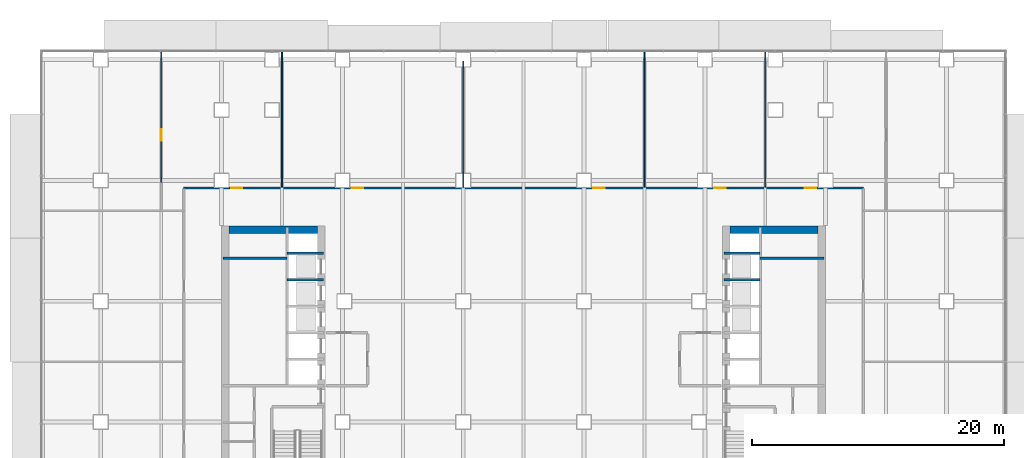
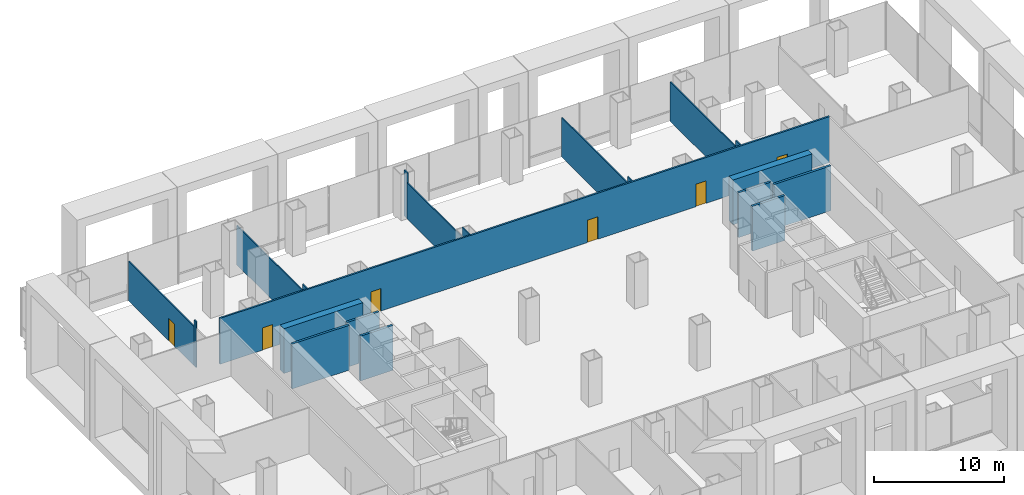
# One storey, part 17 of 23: 20 walls, 6 doors, 6 openings.
"""IFC4 building model written with IfcOpenShell, lengths in metres."""

from ifc_helpers import new_model, si_unit, direction, frame, frame_2d, origin, place, context, subcontext, project, spatial, rectangle, extrude, material, layer, layer_set, type_object, element, fill, save


model = new_model("IFC4")

# Units and contexts
model_context = context("Model", 3, precision=1e-05, world=origin(), true_north=direction((0.0, 1.0)))
body_context = subcontext(model_context, "Body", "Model", "MODEL_VIEW")
ifc_project = project(units=[si_unit("LENGTHUNIT", "METRE"), si_unit("AREAUNIT", "SQUARE_METRE"), si_unit("VOLUMEUNIT", "CUBIC_METRE"), si_unit("PLANEANGLEUNIT", "RADIAN"), si_unit("MASSUNIT", "GRAM", prefix="KILO")], contexts=[model_context])

# Site, building, storey
site_placement = place(None, origin())
site = spatial("IfcSite", under=ifc_project, at=site_placement, CompositionType="ELEMENT")
building_placement = place(site_placement, origin())
building = spatial("IfcBuilding", under=site, at=building_placement, Name="Cobrizo Arcos Hotel Tower", CompositionType="ELEMENT")
storey_placement = place(building_placement, frame((0.0, 0.0, 24.5)))
storey = spatial("IfcBuildingStorey", under=building, at=storey_placement, Name="L04", CompositionType="ELEMENT", Elevation=24.5)

# Wall, openings, doors
ifc_material_1 = material(Name="Gypsum board partition")
ifc_layer_1 = layer(ifc_material_1, 0.14990234375)
ifc_layer_set_1 = layer_set([ifc_layer_1], Name="Corridor wall EI 60 150")
wall_type_1 = type_object("IfcWallType", Name="Corridor wall EI 60 150", PredefinedType="PARTITIONING", material=ifc_layer_set_1)
wall_1_placement = place(storey_placement, frame((-27.0, 13.800048828125, 0.0), z_axis=(0.0, 0.0, 1.0), x_axis=(1.0, 0.0, 0.0)))
wall_1 = element("IfcWall", 1, at=wall_1_placement, inside=storey, type_object=wall_type_1, Name="Partition 033", PredefinedType="PARTITIONING", context=body_context, shape_type="SweptSolid", body=[
    extrude(rectangle(XDim=54.0, YDim=0.14990234375, at=frame_2d((27.0, 0.0))), origin(), (0.0, 0.0, 1.0), 4.300048828125),
])
opening_1_placement = place(wall_1_placement, frame((42.14990234375, 0.0, 0.0)))
opening_1 = element("IfcOpeningElement", 2, at=opening_1_placement, cuts=wall_1, Name="Opening RD-07", PredefinedType="OPENING", context=body_context, shape_type="SweptSolid", body=[
    extrude(rectangle(XDim=0.89990234375, YDim=2.10009765625, at=frame_2d((0.449951171875, 1.050048828125))), frame((0.0, 0.0869140625, 0.0), z_axis=(0.0, -1.0, 0.0), x_axis=(1.0, 0.0, 0.0)), (0.0, 0.0, 1.0), 0.173828125),
])
opening_2_placement = place(wall_1_placement, frame((3.75, 0.0, 0.0)))
opening_2 = element("IfcOpeningElement", 3, at=opening_2_placement, cuts=wall_1, Name="Opening RD-17", PredefinedType="OPENING", context=body_context, shape_type="SweptSolid", body=[
    extrude(rectangle(XDim=0.89990234375, YDim=2.10009765625, at=frame_2d((0.449951171875, 1.050048828125))), frame((0.0, 0.0869140625, 0.0), z_axis=(0.0, -1.0, 0.0), x_axis=(1.0, 0.0, 0.0)), (0.0, 0.0, 1.0), 0.173828125),
])
opening_3_placement = place(wall_1_placement, frame((49.35009765625, 0.0, 0.0)))
opening_3 = element("IfcOpeningElement", 4, at=opening_3_placement, cuts=wall_1, Name="Opening RD-21", PredefinedType="OPENING", context=body_context, shape_type="SweptSolid", body=[
    extrude(rectangle(XDim=0.89990234375, YDim=2.10009765625, at=frame_2d((0.449951171875, 1.050048828125))), frame((0.0, 0.0869140625, 0.0), z_axis=(0.0, -1.0, 0.0), x_axis=(1.0, 0.0, 0.0)), (0.0, 0.0, 1.0), 0.173828125),
])
opening_4_placement = place(wall_1_placement, frame((13.35009765625, 0.0, 0.0)))
opening_4 = element("IfcOpeningElement", 5, at=opening_4_placement, cuts=wall_1, Name="Opening RD-22", PredefinedType="OPENING", context=body_context, shape_type="SweptSolid", body=[
    extrude(rectangle(XDim=0.89990234375, YDim=2.10009765625, at=frame_2d((0.449951171875, 1.050048828125))), frame((0.0, 0.0869140625, 0.0), z_axis=(0.0, -1.0, 0.0), x_axis=(1.0, 0.0, 0.0)), (0.0, 0.0, 1.0), 0.173828125),
])
opening_5_placement = place(wall_1_placement, frame((32.550048828125, 0.0, 0.0)))
opening_5 = element("IfcOpeningElement", 6, at=opening_5_placement, cuts=wall_1, Name="Opening RD-23", PredefinedType="OPENING", context=body_context, shape_type="SweptSolid", body=[
    extrude(rectangle(XDim=0.89990234375, YDim=2.10009765625, at=frame_2d((0.449951171875, 1.050048828125))), frame((0.0, 0.0869140625, 0.0), z_axis=(0.0, -1.0, 0.0), x_axis=(1.0, 0.0, 0.0)), (0.0, 0.0, 1.0), 0.173828125),
])
ifc_material_2 = material(Name="Timber door leaf", Category="wood")
door_type = type_object("IfcDoorType", Name="Room door FD30 900x2100", OperationType="SINGLE_SWING_LEFT", PredefinedType="DOOR", material=ifc_material_2)
door_1_placement = place(opening_1_placement, origin())
door_1 = element("IfcDoor", 7, at=door_1_placement, inside=storey, type_object=door_type, Name="Door RD-07", OperationType="SINGLE_SWING_RIGHT", OverallHeight=2.10009765625, OverallWidth=0.89990234375, PredefinedType="DOOR", context=body_context, shape_type="SweptSolid", body=[
    extrude(rectangle(XDim=0.89990234375, YDim=2.10009765625, at=frame_2d((0.449951171875, 1.050048828125))), frame((0.0, 0.02490234375, 0.0), z_axis=(0.0, -1.0, 0.0), x_axis=(1.0, 0.0, 0.0)), (0.0, 0.0, 1.0), 0.050048828125),
])
fill(opening_1, door_1)
door_2_placement = place(opening_2_placement, origin())
door_2 = element("IfcDoor", 8, at=door_2_placement, inside=storey, type_object=door_type, Name="Door RD-17", OperationType="SINGLE_SWING_LEFT", OverallHeight=2.10009765625, OverallWidth=0.89990234375, PredefinedType="DOOR", context=body_context, shape_type="SweptSolid", body=[
    extrude(rectangle(XDim=0.89990234375, YDim=2.10009765625, at=frame_2d((0.449951171875, 1.050048828125))), frame((0.0, 0.02490234375, 0.0), z_axis=(0.0, -1.0, 0.0), x_axis=(1.0, 0.0, 0.0)), (0.0, 0.0, 1.0), 0.050048828125),
])
fill(opening_2, door_2)
door_3_placement = place(opening_3_placement, origin())
door_3 = element("IfcDoor", 9, at=door_3_placement, inside=storey, type_object=door_type, Name="Door RD-21", OperationType="SINGLE_SWING_RIGHT", OverallHeight=2.10009765625, OverallWidth=0.89990234375, PredefinedType="DOOR", context=body_context, shape_type="SweptSolid", body=[
    extrude(rectangle(XDim=0.89990234375, YDim=2.10009765625, at=frame_2d((0.449951171875, 1.050048828125))), frame((0.0, 0.02490234375, 0.0), z_axis=(0.0, -1.0, 0.0), x_axis=(1.0, 0.0, 0.0)), (0.0, 0.0, 1.0), 0.050048828125),
])
fill(opening_3, door_3)
door_4_placement = place(opening_4_placement, origin())
door_4 = element("IfcDoor", 10, at=door_4_placement, inside=storey, type_object=door_type, Name="Door RD-22", OperationType="SINGLE_SWING_LEFT", OverallHeight=2.10009765625, OverallWidth=0.89990234375, PredefinedType="DOOR", context=body_context, shape_type="SweptSolid", body=[
    extrude(rectangle(XDim=0.89990234375, YDim=2.10009765625, at=frame_2d((0.449951171875, 1.050048828125))), frame((0.0, 0.02490234375, 0.0), z_axis=(0.0, -1.0, 0.0), x_axis=(1.0, 0.0, 0.0)), (0.0, 0.0, 1.0), 0.050048828125),
])
fill(opening_4, door_4)
door_5_placement = place(opening_5_placement, origin())
door_5 = element("IfcDoor", 11, at=door_5_placement, inside=storey, type_object=door_type, Name="Door RD-23", OperationType="SINGLE_SWING_RIGHT", OverallHeight=2.10009765625, OverallWidth=0.89990234375, PredefinedType="DOOR", context=body_context, shape_type="SweptSolid", body=[
    extrude(rectangle(XDim=0.89990234375, YDim=2.10009765625, at=frame_2d((0.449951171875, 1.050048828125))), frame((0.0, 0.02490234375, 0.0), z_axis=(0.0, -1.0, 0.0), x_axis=(1.0, 0.0, 0.0)), (0.0, 0.0, 1.0), 0.050048828125),
])
fill(opening_5, door_5)

# Wall
ifc_layer_2 = layer(ifc_material_1, 0.10009765625)
ifc_layer_set_2 = layer_set([ifc_layer_2], Name="Partition EI 30 100")
wall_type_2 = type_object("IfcWallType", Name="Partition EI 30 100", PredefinedType="PARTITIONING", material=ifc_layer_set_2)
wall_2_placement = place(storey_placement, frame((-28.800048828125, 14.24609375, 0.0), z_axis=(0.0, 0.0, 1.0), x_axis=(0.0, 1.0, 0.0)))
element("IfcWall", 12, at=wall_2_placement, inside=storey, type_object=wall_type_2, Name="Partition 038", PredefinedType="PARTITIONING", context=body_context, shape_type="SweptSolid", body=[
    extrude(rectangle(XDim=0.307861328125, YDim=0.10009765625, at=frame_2d((0.15380859375, 0.0))), origin(), (0.0, 0.0, 1.0), 4.300048828125),
])

# Wall, opening, door
wall_3_placement = place(storey_placement, frame((-28.800048828125, 14.5537109375, 0.0), z_axis=(0.0, 0.0, 1.0), x_axis=(0.0, 1.0, 0.0)))
wall_3 = element("IfcWall", 13, at=wall_3_placement, inside=storey, type_object=wall_type_2, Name="Partition 039", PredefinedType="PARTITIONING", context=body_context, shape_type="SweptSolid", body=[
    extrude(rectangle(XDim=10.076171875, YDim=0.10009765625, at=frame_2d((5.0380859375, 0.0))), origin(), (0.0, 0.0, 1.0), 3.68310546875),
])
opening_6_placement = place(wall_3_placement, frame((2.99609375, 0.0, 0.0)))
opening_6 = element("IfcOpeningElement", 14, at=opening_6_placement, cuts=wall_3, Name="Opening RD-26", PredefinedType="OPENING", context=body_context, shape_type="SweptSolid", body=[
    extrude(rectangle(XDim=0.89990234375, YDim=2.10009765625, at=frame_2d((0.449951171875, 1.050048828125))), frame((0.0, 0.06201171875, 0.0), z_axis=(0.0, -1.0, 0.0), x_axis=(1.0, 0.0, 0.0)), (0.0, 0.0, 1.0), 0.1240234375),
])
door_6_placement = place(opening_6_placement, origin())
door_6 = element("IfcDoor", 15, at=door_6_placement, inside=storey, type_object=door_type, Name="Door RD-26", OperationType="SINGLE_SWING_LEFT", OverallHeight=2.10009765625, OverallWidth=0.89990234375, PredefinedType="DOOR", context=body_context, shape_type="SweptSolid", body=[
    extrude(rectangle(XDim=0.89990234375, YDim=2.10009765625, at=frame_2d((0.449951171875, 1.050048828125))), frame((0.0, 0.02490234375, 0.0), z_axis=(0.0, -1.0, 0.0), x_axis=(1.0, 0.0, 0.0)), (0.0, 0.0, 1.0), 0.050048828125),
])
fill(opening_6, door_6)

# Walls
wall_4_placement = place(storey_placement, frame((-19.199951171875, 13.875, 0.0), z_axis=(0.0, 0.0, 1.0), x_axis=(0.0, 1.0, 0.0)))
element("IfcWall", 16, at=wall_4_placement, inside=storey, type_object=wall_type_2, Name="Partition 045", PredefinedType="PARTITIONING", context=body_context, shape_type="SweptSolid", body=[
    extrude(rectangle(XDim=0.678955078125, YDim=0.10009765625, at=frame_2d((0.33935546875, 0.0))), origin(), (0.0, 0.0, 1.0), 4.300048828125),
])
wall_5_placement = place(storey_placement, frame((-19.199951171875, 14.5537109375, 0.0), z_axis=(0.0, 0.0, 1.0), x_axis=(0.0, 1.0, 0.0)))
element("IfcWall", 17, at=wall_5_placement, inside=storey, type_object=wall_type_2, Name="Partition 046", PredefinedType="PARTITIONING", context=body_context, shape_type="SweptSolid", body=[
    extrude(rectangle(XDim=10.076171875, YDim=0.10009765625, at=frame_2d((5.0380859375, 0.0))), origin(), (0.0, 0.0, 1.0), 3.68310546875),
])
wall_6_placement = place(storey_placement, frame((-4.800048828125, 13.875, 0.0), z_axis=(0.0, 0.0, 1.0), x_axis=(0.0, 1.0, 0.0)))
element("IfcWall", 18, at=wall_6_placement, inside=storey, type_object=wall_type_2, Name="Partition 051", PredefinedType="PARTITIONING", context=body_context, shape_type="SweptSolid", body=[
    extrude(rectangle(XDim=1.125, YDim=0.10009765625, at=frame_2d((0.5625, 0.0))), origin(), (0.0, 0.0, 1.0), 4.300048828125),
])
wall_7_placement = place(storey_placement, frame((-4.800048828125, 15.0, 0.0), z_axis=(0.0, 0.0, 1.0), x_axis=(0.0, 1.0, 0.0)))
element("IfcWall", 19, at=wall_7_placement, inside=storey, type_object=wall_type_2, Name="Partition 052", PredefinedType="PARTITIONING", context=body_context, shape_type="SweptSolid", body=[
    extrude(rectangle(XDim=8.39990234375, YDim=0.10009765625, at=frame_2d((4.199951171875, 0.0))), origin(), (0.0, 0.0, 1.0), 3.373046875),
])
wall_8_placement = place(storey_placement, frame((-4.800048828125, 23.39990234375, 0.0), z_axis=(0.0, 0.0, 1.0), x_axis=(0.0, 1.0, 0.0)))
element("IfcWall", 20, at=wall_8_placement, inside=storey, type_object=wall_type_2, Name="Partition 053", PredefinedType="PARTITIONING", context=body_context, shape_type="SweptSolid", body=[
    extrude(rectangle(XDim=0.47998046875, YDim=0.10009765625, at=frame_2d((0.239990234375, 0.0))), origin(), (0.0, 0.0, 1.0), 4.300048828125),
])
wall_9_placement = place(storey_placement, frame((9.60009765625, 13.875, 0.0), z_axis=(0.0, 0.0, 1.0), x_axis=(0.0, 1.0, 0.0)))
element("IfcWall", 21, at=wall_9_placement, inside=storey, type_object=wall_type_2, Name="Partition 060", PredefinedType="PARTITIONING", context=body_context, shape_type="SweptSolid", body=[
    extrude(rectangle(XDim=0.678955078125, YDim=0.10009765625, at=frame_2d((0.33935546875, 0.0))), origin(), (0.0, 0.0, 1.0), 4.300048828125),
])
wall_10_placement = place(storey_placement, frame((9.60009765625, 14.5537109375, 0.0), z_axis=(0.0, 0.0, 1.0), x_axis=(0.0, 1.0, 0.0)))
element("IfcWall", 22, at=wall_10_placement, inside=storey, type_object=wall_type_2, Name="Partition 061", PredefinedType="PARTITIONING", context=body_context, shape_type="SweptSolid", body=[
    extrude(rectangle(XDim=10.076171875, YDim=0.10009765625, at=frame_2d((5.0380859375, 0.0))), origin(), (0.0, 0.0, 1.0), 3.68310546875),
])
wall_11_placement = place(storey_placement, frame((19.199951171875, 13.875, 0.0), z_axis=(0.0, 0.0, 1.0), x_axis=(0.0, 1.0, 0.0)))
element("IfcWall", 23, at=wall_11_placement, inside=storey, type_object=wall_type_2, Name="Partition 068", PredefinedType="PARTITIONING", context=body_context, shape_type="SweptSolid", body=[
    extrude(rectangle(XDim=0.678955078125, YDim=0.10009765625, at=frame_2d((0.33935546875, 0.0))), origin(), (0.0, 0.0, 1.0), 4.300048828125),
])
wall_12_placement = place(storey_placement, frame((19.199951171875, 14.5537109375, 0.0), z_axis=(0.0, 0.0, 1.0), x_axis=(0.0, 1.0, 0.0)))
element("IfcWall", 24, at=wall_12_placement, inside=storey, type_object=wall_type_2, Name="Partition 069", PredefinedType="PARTITIONING", context=body_context, shape_type="SweptSolid", body=[
    extrude(rectangle(XDim=10.076171875, YDim=0.10009765625, at=frame_2d((5.0380859375, 0.0))), origin(), (0.0, 0.0, 1.0), 3.68310546875),
])
ifc_material_3 = material(Name="Concrete f'c 60 MPa", Category="concrete")
ifc_layer_3 = layer(ifc_material_3, 0.60009765625)
ifc_layer_set_3 = layer_set([ifc_layer_3], Name="RC core wall 600 f'c 60")
wall_type_3 = type_object("IfcWallType", Name="RC core wall 600 f'c 60", PredefinedType="SHEAR", material=ifc_layer_set_3)
for number, where, z_axis, x_axis, name in (
    (25, (16.39990234375, 10.5, 0.0), (0.0, 0.0, 1.0), (1.0, 0.0, 0.0), "Core wall CW1, east core, north end, L04"),
    (26, (-23.39990234375, 10.5, 0.0), (0.0, 0.0, 1.0), (1.0, 0.0, 0.0), "Core wall CW1, west core, north end, L04"),
):
    element("IfcWall", number, at=place(storey_placement, frame(where, z_axis=z_axis, x_axis=x_axis)), inside=storey, type_object=wall_type_3, Name=name, PredefinedType="SHEAR", context=body_context, shape_type="SweptSolid", body=[
        extrude(rectangle(XDim=7.0, YDim=0.60009765625, at=frame_2d((3.5, 0.0))), origin(), (0.0, 0.0, 1.0), 4.199951171875),
    ])
ifc_layer_4 = layer(ifc_material_1, 0.199951171875)
ifc_layer_set_4 = layer_set([ifc_layer_4], Name="Shaft wall EI 120 200")
wall_type_4 = type_object("IfcWallType", Name="Shaft wall EI 120 200", PredefinedType="PARTITIONING", material=ifc_layer_set_4)
for number, where, z_axis, x_axis, name in (
    (27, (-18.800048828125, 6.5, 0.0), (0.0, 0.0, 1.0), (1.0, 0.0, 0.0), "Partition 025"),
    (28, (15.919921875, 6.5, 0.0), (0.0, 0.0, 1.0), (1.0, 0.0, 0.0), "Partition 026"),
):
    element("IfcWall", number, at=place(storey_placement, frame(where, z_axis=z_axis, x_axis=x_axis)), inside=storey, type_object=wall_type_4, Name=name, PredefinedType="PARTITIONING", context=body_context, shape_type="SweptSolid", body=[
        extrude(rectangle(XDim=2.880126953125, YDim=0.199951171875, at=frame_2d((1.43994140625, 0.0))), origin(), (0.0, 0.0, 1.0), 4.199951171875),
    ])
for number, where, z_axis, x_axis, name in (
    (29, (-23.8798828125, 8.199951171875, 0.0), (0.0, 0.0, 1.0), (1.0, 0.0, 0.0), "Partition 027"),
    (30, (18.800048828125, 8.199951171875, 0.0), (0.0, 0.0, 1.0), (1.0, 0.0, 0.0), "Partition 028"),
):
    element("IfcWall", number, at=place(storey_placement, frame(where, z_axis=z_axis, x_axis=x_axis)), inside=storey, type_object=wall_type_4, Name=name, PredefinedType="PARTITIONING", context=body_context, shape_type="SweptSolid", body=[
        extrude(rectangle(XDim=5.079833984375, YDim=0.199951171875, at=frame_2d((2.5400390625, 0.0))), origin(), (0.0, 0.0, 1.0), 4.199951171875),
    ])
for number, where, z_axis, x_axis, name in (
    (31, (-18.800048828125, 8.60009765625, 0.0), (0.0, 0.0, 1.0), (1.0, 0.0, 0.0), "Partition 029"),
    (32, (15.919921875, 8.60009765625, 0.0), (0.0, 0.0, 1.0), (1.0, 0.0, 0.0), "Partition 030"),
):
    element("IfcWall", number, at=place(storey_placement, frame(where, z_axis=z_axis, x_axis=x_axis)), inside=storey, type_object=wall_type_4, Name=name, PredefinedType="PARTITIONING", context=body_context, shape_type="SweptSolid", body=[
        extrude(rectangle(XDim=2.880126953125, YDim=0.199951171875, at=frame_2d((1.43994140625, 0.0))), origin(), (0.0, 0.0, 1.0), 4.199951171875),
    ])

save(model, "model.ifc")
